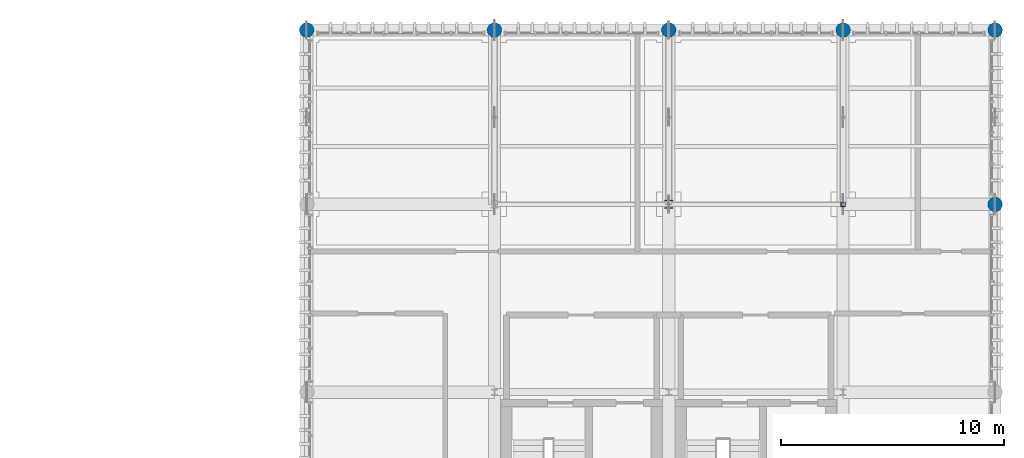
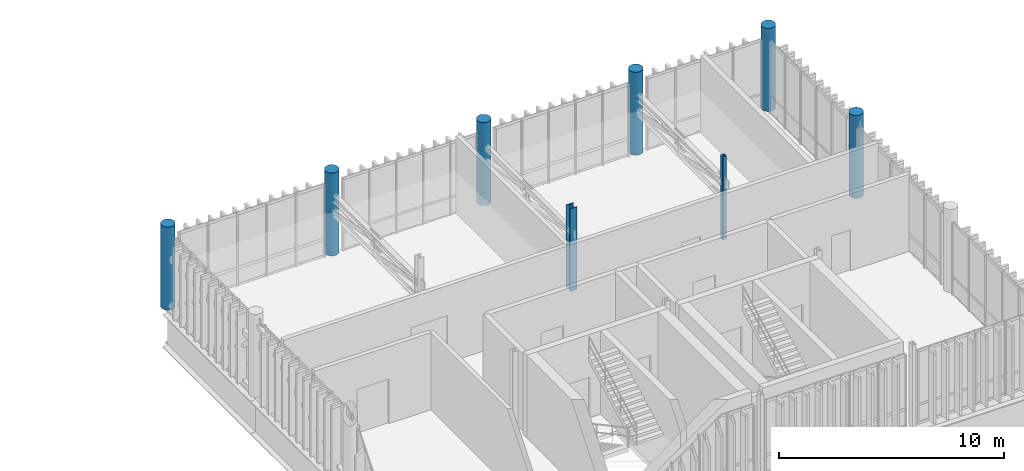
# One storey, part 4 of 53: 8 columns.
"""IFC4 building model written with IfcOpenShell, lengths in metres."""

from ifc_helpers import new_model, si_unit, direction, frame, origin_with_axes, origin_2d_with_axis, place, context, subcontext, project, spatial, hollow_rectangle, circle, i_section, extrude, material, material_profile, profile_set, type_object, element, save


model = new_model("IFC4")

# Units and contexts
model_context = context("Model", 3, precision=1e-05, world=origin_with_axes(), true_north=direction((0.0, 1.0)))
body_context = subcontext(model_context, "Body", "Model", "MODEL_VIEW")
ifc_project = project(units=[si_unit("LENGTHUNIT", "METRE"), si_unit("AREAUNIT", "SQUARE_METRE"), si_unit("VOLUMEUNIT", "CUBIC_METRE"), si_unit("PLANEANGLEUNIT", "RADIAN"), si_unit("MASSUNIT", "GRAM", prefix="KILO"), si_unit("THERMODYNAMICTEMPERATUREUNIT", "KELVIN")], contexts=[model_context])

# Site, building, storey
site_placement = place(None, origin_with_axes())
site = spatial("IfcSite", under=ifc_project, at=site_placement, CompositionType="ELEMENT")
building_placement = place(site_placement, origin_with_axes())
building = spatial("IfcBuilding", under=site, at=building_placement, Name="Montbau Bow Law Courts", CompositionType="ELEMENT")
storey_placement = place(building_placement, frame((0.0, 0.0, 39.0), z_axis=(0.0, 0.0, 1.0), x_axis=(1.0, 0.0, 0.0)))
storey = spatial("IfcBuildingStorey", under=building, at=storey_placement, Name="L08", CompositionType="ELEMENT", Elevation=39.0)

# Columns
ifc_material_1 = material(Name="Steel CSA G40.21 Grade 350W (350 MPa)", Category="steel")
ifc_material_profile_1 = material_profile(ifc_material_1, hollow_rectangle(XDim=0.203, YDim=0.203, WallThickness=0.0111, InnerFilletRadius=0.0222, OuterFilletRadius=0.0111, at=origin_2d_with_axis()), Name="HSS203X203X11", Category="Main", Priority=0)
ifc_profile_set_1 = profile_set([ifc_material_profile_1], Name="Steel CSA G40.21 Grade 350W (350 MPa)")
column_type_1 = type_object("IfcColumnType", Name="C-HSS-02", PredefinedType="COLUMN", material=ifc_profile_set_1)
column_1_placement = place(None, frame((162.6, 103.2, 39.0), z_axis=(0.0, 0.0, 1.0), x_axis=(1.0, 0.0, 0.0)))
element("IfcColumn", 1, at=column_1_placement, inside=storey, type_object=column_type_1, Name="C-L08-S1076:col2_1076", PredefinedType="COLUMN", context=body_context, shape_type="SweptSolid", body=[
    extrude(hollow_rectangle(XDim=0.203, YDim=0.203, WallThickness=0.0111, InnerFilletRadius=0.0222, OuterFilletRadius=0.0111, at=origin_2d_with_axis()), origin_with_axes(), (0.0, 0.0, 1.0), 4.5),
])
ifc_material_2 = material(Name="Concrete CSA A23.1 f'c 40 MPa", Category="concrete")
ifc_material_profile_2 = material_profile(ifc_material_2, circle(Radius=0.325, at=origin_2d_with_axis()), Name="RC650D", Category="Main", Priority=0)
ifc_profile_set_2 = profile_set([ifc_material_profile_2], Name="Concrete CSA A23.1 f'c 40 MPa")
column_type_2 = type_object("IfcColumnType", Name="C-RC-08", PredefinedType="COLUMN", material=ifc_profile_set_2)
for number, where, z_axis, x_axis, name in (
    (2, (138.6, 111.0, 39.0), (0.0, 0.0, 1.0), (1.0, 0.0, 0.0), "C-L08-S1065:col2_1065"),
    (3, (147.0, 111.0, 39.0), (0.0, 0.0, 1.0), (1.0, 0.0, 0.0), "C-L08-S1069:col2_1069"),
    (4, (154.8, 111.0, 39.0), (0.0, 0.0, 1.0), (1.0, 0.0, 0.0), "C-L08-S1073:col2_1073"),
    (5, (162.6, 111.0, 39.0), (0.0, 0.0, 1.0), (1.0, 0.0, 0.0), "C-L08-S1077:col2_1077"),
    (6, (169.4, 103.2, 39.0), (0.0, 0.0, 1.0), (1.0, 0.0, 0.0), "C-L08-S1080:col2_1080"),
    (7, (169.4, 111.0, 39.0), (0.0, 0.0, 1.0), (1.0, 0.0, 0.0), "C-L08-S1081:col2_1081"),
):
    element("IfcColumn", number, at=place(None, frame(where, z_axis=z_axis, x_axis=x_axis)), inside=storey, type_object=column_type_2, Name=name, PredefinedType="COLUMN", context=body_context, shape_type="SweptSolid", body=[
        extrude(circle(Radius=0.325, at=origin_2d_with_axis()), origin_with_axes(), (0.0, 0.0, 1.0), 4.5),
    ])
ifc_material_profile_3 = material_profile(ifc_material_1, i_section(OverallWidth=0.373, OverallDepth=0.368, WebThickness=0.015, FlangeThickness=0.0239, at=origin_2d_with_axis()), Name="W360X179", Category="Main", Priority=0)
ifc_profile_set_3 = profile_set([ifc_material_profile_3], Name="Steel CSA G40.21 Grade 350W (350 MPa)")
column_type_3 = type_object("IfcColumnType", Name="C-STL-04", PredefinedType="COLUMN", material=ifc_profile_set_3)
column_2_placement = place(None, frame((154.8, 103.2, 39.0), z_axis=(0.0, 0.0, 1.0), x_axis=(1.0, 0.0, 0.0)))
element("IfcColumn", 8, at=column_2_placement, inside=storey, type_object=column_type_3, Name="C-L08-S1072:col2_1072", PredefinedType="COLUMN", context=body_context, shape_type="SweptSolid", body=[
    extrude(i_section(OverallWidth=0.373, OverallDepth=0.368, WebThickness=0.015, FlangeThickness=0.0239, at=origin_2d_with_axis()), origin_with_axes(), (0.0, 0.0, 1.0), 4.5),
])

save(model, "model.ifc")
